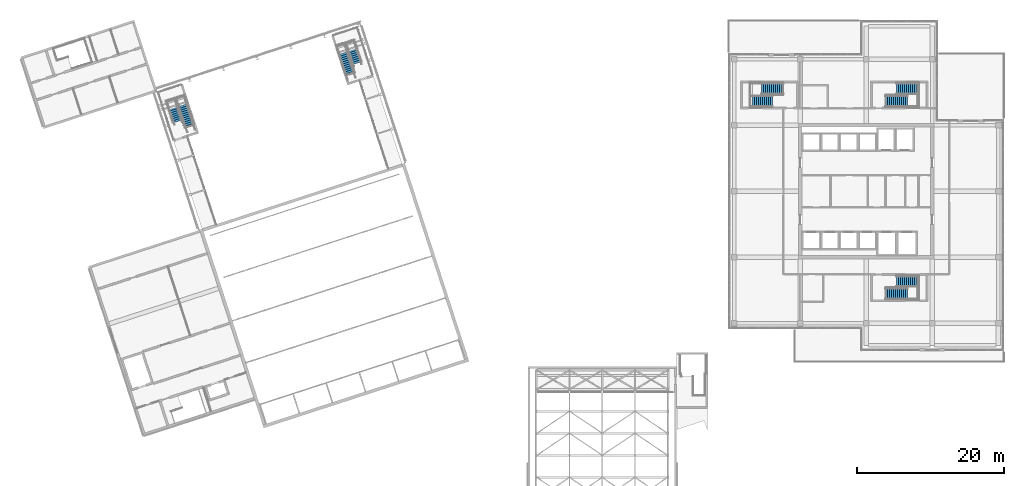
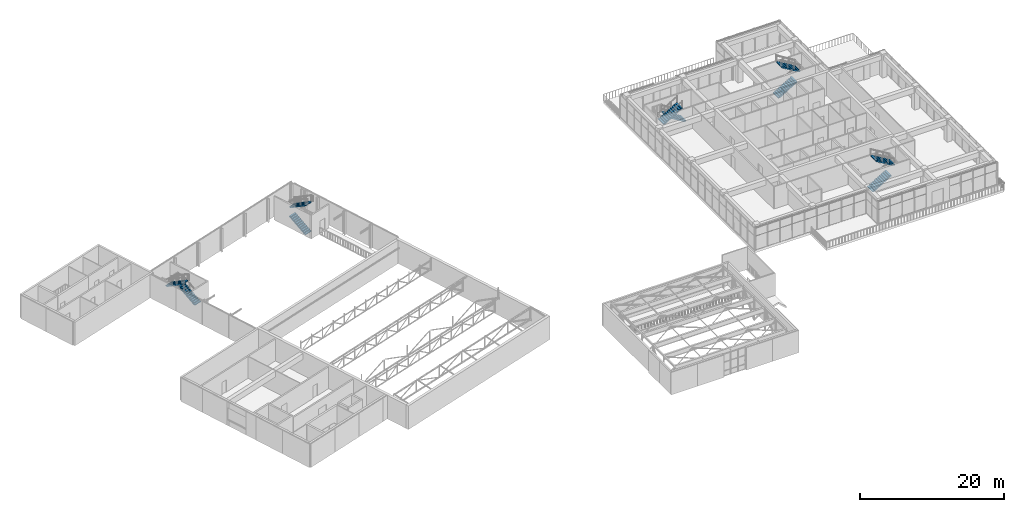
# One storey, part 76 of 81: 10 stair flights, 5 elements without a shape of their own.
"""IFC4 building model written with IfcOpenShell, lengths in metres."""

from ifc_helpers import new_model, si_unit, direction, frame, origin, place, context, subcontext, project, spatial, polyline, outline, extrude, material, type_object, element, aggregate, save


model = new_model("IFC4")

# Units and contexts
model_context = context("Model", 3, precision=1e-05, world=origin(), true_north=direction((0.0, 1.0)))
body_context = subcontext(model_context, "Body", "Model", "MODEL_VIEW")
ifc_project = project(units=[si_unit("LENGTHUNIT", "METRE"), si_unit("AREAUNIT", "SQUARE_METRE"), si_unit("VOLUMEUNIT", "CUBIC_METRE"), si_unit("PLANEANGLEUNIT", "RADIAN"), si_unit("MASSUNIT", "GRAM", prefix="KILO")], contexts=[model_context])

# Site, building, storey
site_placement = place(None, origin())
site = spatial("IfcSite", under=ifc_project, at=site_placement, CompositionType="ELEMENT")
building_placement = place(site_placement, origin())
building = spatial("IfcBuilding", under=site, at=building_placement, Name="Tuart Plaza Theatre", CompositionType="ELEMENT")
storey_placement = place(building_placement, frame((0.0, 0.0, 17.5)))
storey = spatial("IfcBuildingStorey", under=building, at=storey_placement, Name="L04", CompositionType="ELEMENT", Elevation=17.5)

# Stair, stair flights
ifc_material_1 = material(Name="Concrete N40 (40 MPa)", Category="concrete")
stair_type_1 = type_object("IfcStairType", Name="STAIR half turn 1500", PredefinedType="HALF_TURN_STAIR", material=ifc_material_1)
stair_1_placement = place(storey_placement, origin())
stair_1 = element("IfcStair", 1, at=stair_1_placement, inside=storey, type_object=stair_type_1, Name="SC-3", PredefinedType="HALF_TURN_STAIR")
ifc_material_2 = material(Name="Concrete N40 (40 MPa)", Category="concrete")
stair_flight_type_1 = type_object("IfcStairFlightType", Name="STAIR FLIGHT 166.7 275 1500", PredefinedType="STRAIGHT", material=ifc_material_2)
stair_flight_1_placement = place(storey_placement, frame((134.594970703125, 60.050048828125, 0.0), z_axis=(0.0, 0.0, 1.0), x_axis=(1.0, 0.0, 0.0)))
stair_flight_1 = element("IfcStairFlight", 2, at=stair_flight_1_placement, type_object=stair_flight_type_1, Name="SC-3 flight 1", NumberOfRisers=12, NumberOfTreads=11, PredefinedType="STRAIGHT", RiserHeight=0.166666667, TreadLength=0.275, context=body_context, shape_type="SweptSolid", body=[
    extrude(outline(polyline([(0.0, 0.0), (0.0, 0.166748046875), (0.27490234375, 0.166748046875), (0.27490234375, 0.333251953125), (0.550048828125, 0.333251953125), (0.550048828125, 0.5), (0.824951171875, 0.5), (0.824951171875, 0.666748046875), (1.10009765625, 0.666748046875), (1.10009765625, 0.833251953125), (1.375, 0.833251953125), (1.375, 1.0), (1.64990234375, 1.0), (1.64990234375, 1.166748046875), (1.925048828125, 1.166748046875), (1.925048828125, 1.333251953125), (2.199951171875, 1.333251953125), (2.199951171875, 1.5), (2.47509765625, 1.5), (2.47509765625, 1.666748046875), (2.75, 1.666748046875), (2.75, 1.833251953125), (3.02490234375, 1.833251953125), (3.02490234375, 2.0), (3.02490234375, 1.657958984375), (0.289306640625, 0.0), (0.0, 0.0)])), frame((0.0, 0.75, 0.0), z_axis=(0.0, -1.0, 0.0), x_axis=(1.0, 0.0, 0.0)), (0.0, 0.0, 1.0), 1.5),
])
stair_flight_2_placement = place(storey_placement, frame((139.1201171875, 61.699951171875, 2.0), z_axis=(0.0, 0.0, 1.0), x_axis=(-1.0, 0.0, 0.0)))
stair_flight_2 = element("IfcStairFlight", 3, at=stair_flight_2_placement, type_object=stair_flight_type_1, Name="SC-3 flight 2", NumberOfRisers=12, NumberOfTreads=11, PredefinedType="STRAIGHT", RiserHeight=0.166666667, TreadLength=0.275, context=body_context, shape_type="SweptSolid", body=[
    extrude(outline(polyline([(0.0, 0.0), (0.0, 0.166748046875), (0.27490234375, 0.166748046875), (0.27490234375, 0.333251953125), (0.550048828125, 0.333251953125), (0.550048828125, 0.5), (0.824951171875, 0.5), (0.824951171875, 0.666748046875), (1.10009765625, 0.666748046875), (1.10009765625, 0.833251953125), (1.375, 0.833251953125), (1.375, 1.0), (1.64990234375, 1.0), (1.64990234375, 1.166748046875), (1.925048828125, 1.166748046875), (1.925048828125, 1.333251953125), (2.199951171875, 1.333251953125), (2.199951171875, 1.5), (2.47509765625, 1.5), (2.47509765625, 1.666748046875), (2.75, 1.666748046875), (2.75, 1.833251953125), (3.02490234375, 1.833251953125), (3.02490234375, 2.0), (3.02490234375, 1.657958984375), (0.289306640625, 0.0), (0.0, 0.0)])), frame((0.0, 0.75, 0.0), z_axis=(0.0, -1.0, 0.0), x_axis=(1.0, 0.0, 0.0)), (0.0, 0.0, 1.0), 1.5),
])
aggregate(stair_1, [stair_flight_1, stair_flight_2])

stair_2_placement = place(storey_placement, origin())
stair_2 = element("IfcStair", 4, at=stair_2_placement, inside=storey, type_object=stair_type_1, Name="SC-9", PredefinedType="HALF_TURN_STAIR")
stair_flight_3_placement = place(storey_placement, frame((134.594970703125, 86.300048828125, 0.0), z_axis=(0.0, 0.0, 1.0), x_axis=(1.0, 0.0, 0.0)))
stair_flight_3 = element("IfcStairFlight", 5, at=stair_flight_3_placement, type_object=stair_flight_type_1, Name="SC-9 flight 1", NumberOfRisers=12, NumberOfTreads=11, PredefinedType="STRAIGHT", RiserHeight=0.166666667, TreadLength=0.275, context=body_context, shape_type="SweptSolid", body=[
    extrude(outline(polyline([(0.0, 0.0), (0.0, 0.166748046875), (0.27490234375, 0.166748046875), (0.27490234375, 0.333251953125), (0.550048828125, 0.333251953125), (0.550048828125, 0.5), (0.824951171875, 0.5), (0.824951171875, 0.666748046875), (1.10009765625, 0.666748046875), (1.10009765625, 0.833251953125), (1.375, 0.833251953125), (1.375, 1.0), (1.64990234375, 1.0), (1.64990234375, 1.166748046875), (1.925048828125, 1.166748046875), (1.925048828125, 1.333251953125), (2.199951171875, 1.333251953125), (2.199951171875, 1.5), (2.47509765625, 1.5), (2.47509765625, 1.666748046875), (2.75, 1.666748046875), (2.75, 1.833251953125), (3.02490234375, 1.833251953125), (3.02490234375, 2.0), (3.02490234375, 1.657958984375), (0.289306640625, 0.0), (0.0, 0.0)])), frame((0.0, 0.75, 0.0), z_axis=(0.0, -1.0, 0.0), x_axis=(1.0, 0.0, 0.0)), (0.0, 0.0, 1.0), 1.5),
])
stair_flight_4_placement = place(storey_placement, frame((139.1201171875, 87.949951171875, 2.0), z_axis=(0.0, 0.0, 1.0), x_axis=(-1.0, 0.0, 0.0)))
stair_flight_4 = element("IfcStairFlight", 6, at=stair_flight_4_placement, type_object=stair_flight_type_1, Name="SC-9 flight 2", NumberOfRisers=12, NumberOfTreads=11, PredefinedType="STRAIGHT", RiserHeight=0.166666667, TreadLength=0.275, context=body_context, shape_type="SweptSolid", body=[
    extrude(outline(polyline([(0.0, 0.0), (0.0, 0.166748046875), (0.27490234375, 0.166748046875), (0.27490234375, 0.333251953125), (0.550048828125, 0.333251953125), (0.550048828125, 0.5), (0.824951171875, 0.5), (0.824951171875, 0.666748046875), (1.10009765625, 0.666748046875), (1.10009765625, 0.833251953125), (1.375, 0.833251953125), (1.375, 1.0), (1.64990234375, 1.0), (1.64990234375, 1.166748046875), (1.925048828125, 1.166748046875), (1.925048828125, 1.333251953125), (2.199951171875, 1.333251953125), (2.199951171875, 1.5), (2.47509765625, 1.5), (2.47509765625, 1.666748046875), (2.75, 1.666748046875), (2.75, 1.833251953125), (3.02490234375, 1.833251953125), (3.02490234375, 2.0), (3.02490234375, 1.657958984375), (0.289306640625, 0.0), (0.0, 0.0)])), frame((0.0, 0.75, 0.0), z_axis=(0.0, -1.0, 0.0), x_axis=(1.0, 0.0, 0.0)), (0.0, 0.0, 1.0), 1.5),
])
aggregate(stair_2, [stair_flight_3, stair_flight_4])

stair_3_placement = place(storey_placement, origin())
stair_3 = element("IfcStair", 7, at=stair_3_placement, inside=storey, type_object=stair_type_1, Name="SC-15", PredefinedType="HALF_TURN_STAIR")
stair_flight_5_placement = place(storey_placement, frame((120.705078125, 87.949951171875, 0.0), z_axis=(0.0, 0.0, 1.0), x_axis=(-1.0, 0.0, 0.0)))
stair_flight_5 = element("IfcStairFlight", 8, at=stair_flight_5_placement, type_object=stair_flight_type_1, Name="SC-15 flight 1", NumberOfRisers=12, NumberOfTreads=11, PredefinedType="STRAIGHT", RiserHeight=0.166666667, TreadLength=0.275, context=body_context, shape_type="SweptSolid", body=[
    extrude(outline(polyline([(0.0, 0.0), (0.0, 0.166748046875), (0.27490234375, 0.166748046875), (0.27490234375, 0.333251953125), (0.550048828125, 0.333251953125), (0.550048828125, 0.5), (0.824951171875, 0.5), (0.824951171875, 0.666748046875), (1.10009765625, 0.666748046875), (1.10009765625, 0.833251953125), (1.375, 0.833251953125), (1.375, 1.0), (1.64990234375, 1.0), (1.64990234375, 1.166748046875), (1.925048828125, 1.166748046875), (1.925048828125, 1.333251953125), (2.199951171875, 1.333251953125), (2.199951171875, 1.5), (2.47509765625, 1.5), (2.47509765625, 1.666748046875), (2.75, 1.666748046875), (2.75, 1.833251953125), (3.02490234375, 1.833251953125), (3.02490234375, 2.0), (3.02490234375, 1.657958984375), (0.289306640625, 0.0), (0.0, 0.0)])), frame((0.0, 0.75, 0.0), z_axis=(0.0, -1.0, 0.0), x_axis=(1.0, 0.0, 0.0)), (0.0, 0.0, 1.0), 1.5),
])
stair_flight_6_placement = place(storey_placement, frame((116.179931640625, 86.300048828125, 2.0), z_axis=(0.0, 0.0, 1.0), x_axis=(1.0, 0.0, 0.0)))
stair_flight_6 = element("IfcStairFlight", 9, at=stair_flight_6_placement, type_object=stair_flight_type_1, Name="SC-15 flight 2", NumberOfRisers=12, NumberOfTreads=11, PredefinedType="STRAIGHT", RiserHeight=0.166666667, TreadLength=0.275, context=body_context, shape_type="SweptSolid", body=[
    extrude(outline(polyline([(0.0, 0.0), (0.0, 0.166748046875), (0.27490234375, 0.166748046875), (0.27490234375, 0.333251953125), (0.550048828125, 0.333251953125), (0.550048828125, 0.5), (0.824951171875, 0.5), (0.824951171875, 0.666748046875), (1.10009765625, 0.666748046875), (1.10009765625, 0.833251953125), (1.375, 0.833251953125), (1.375, 1.0), (1.64990234375, 1.0), (1.64990234375, 1.166748046875), (1.925048828125, 1.166748046875), (1.925048828125, 1.333251953125), (2.199951171875, 1.333251953125), (2.199951171875, 1.5), (2.47509765625, 1.5), (2.47509765625, 1.666748046875), (2.75, 1.666748046875), (2.75, 1.833251953125), (3.02490234375, 1.833251953125), (3.02490234375, 2.0), (3.02490234375, 1.657958984375), (0.289306640625, 0.0), (0.0, 0.0)])), frame((0.0, 0.75, 0.0), z_axis=(0.0, -1.0, 0.0), x_axis=(1.0, 0.0, 0.0)), (0.0, 0.0, 1.0), 1.5),
])
aggregate(stair_3, [stair_flight_5, stair_flight_6])

ifc_material_3 = material(Name="Concrete N40 (40 MPa)", Category="concrete")
stair_type_2 = type_object("IfcStairType", Name="STAIR half turn 1200", PredefinedType="HALF_TURN_STAIR", material=ifc_material_3)
stair_4_placement = place(storey_placement, origin())
stair_4 = element("IfcStair", 10, at=stair_4_placement, inside=storey, type_object=stair_type_2, Name="SA-4", PredefinedType="HALF_TURN_STAIR")
ifc_material_4 = material(Name="Concrete N40 (40 MPa)", Category="concrete")
stair_flight_type_2 = type_object("IfcStairFlightType", Name="STAIR FLIGHT 166.7 280 1200", PredefinedType="STRAIGHT", material=ifc_material_4)
stair_flight_7_placement = place(storey_placement, frame((39.7744140625, 82.807373046875, 0.0), z_axis=(0.0, 0.0, 1.0), x_axis=(-0.309016994375, 0.951056516295, 0.0)))
stair_flight_7 = element("IfcStairFlight", 11, at=stair_flight_7_placement, type_object=stair_flight_type_2, Name="SA-4 flight 1", NumberOfRisers=12, NumberOfTreads=11, PredefinedType="STRAIGHT", RiserHeight=0.166666667, TreadLength=0.28, context=body_context, shape_type="SweptSolid", body=[
    extrude(outline(polyline([(0.0, 0.0), (0.0, 0.166748046875), (0.280029296875, 0.166748046875), (0.280029296875, 0.333251953125), (0.56005859375, 0.333251953125), (0.56005859375, 0.5), (0.840087890625, 0.5), (0.840087890625, 0.666748046875), (1.1201171875, 0.666748046875), (1.1201171875, 0.833251953125), (1.39990234375, 0.833251953125), (1.39990234375, 1.0), (1.679931640625, 1.0), (1.679931640625, 1.166748046875), (1.9599609375, 1.166748046875), (1.9599609375, 1.333251953125), (2.239990234375, 1.333251953125), (2.239990234375, 1.5), (2.52001953125, 1.5), (2.52001953125, 1.666748046875), (2.800048828125, 1.666748046875), (2.800048828125, 1.833251953125), (3.080078125, 1.833251953125), (3.080078125, 2.0), (3.080078125, 1.658935546875), (0.29296875, 0.0), (0.0, 0.0)])), frame((0.0, 0.60009765625, 0.0), z_axis=(0.0, -1.0, 0.0), x_axis=(1.0, 0.0, 0.0)), (0.0, 0.0, 1.0), 1.199951171875),
])
stair_flight_8_placement = place(storey_placement, frame((37.167724609375, 86.460693359375, 2.0), z_axis=(0.0, 0.0, 1.0), x_axis=(0.309016994375, -0.951056516295, 0.0)))
stair_flight_8 = element("IfcStairFlight", 12, at=stair_flight_8_placement, type_object=stair_flight_type_2, Name="SA-4 flight 2", NumberOfRisers=12, NumberOfTreads=11, PredefinedType="STRAIGHT", RiserHeight=0.166666667, TreadLength=0.28, context=body_context, shape_type="SweptSolid", body=[
    extrude(outline(polyline([(0.0, 0.0), (0.0, 0.166748046875), (0.280029296875, 0.166748046875), (0.280029296875, 0.333251953125), (0.56005859375, 0.333251953125), (0.56005859375, 0.5), (0.840087890625, 0.5), (0.840087890625, 0.666748046875), (1.1201171875, 0.666748046875), (1.1201171875, 0.833251953125), (1.39990234375, 0.833251953125), (1.39990234375, 1.0), (1.679931640625, 1.0), (1.679931640625, 1.166748046875), (1.9599609375, 1.166748046875), (1.9599609375, 1.333251953125), (2.239990234375, 1.333251953125), (2.239990234375, 1.5), (2.52001953125, 1.5), (2.52001953125, 1.666748046875), (2.800048828125, 1.666748046875), (2.800048828125, 1.833251953125), (3.080078125, 1.833251953125), (3.080078125, 2.0), (3.080078125, 1.658935546875), (0.29296875, 0.0), (0.0, 0.0)])), frame((0.0, 0.60009765625, 0.0), z_axis=(0.0, -1.0, 0.0), x_axis=(1.0, 0.0, 0.0)), (0.0, 0.0, 1.0), 1.199951171875),
])
aggregate(stair_4, [stair_flight_7, stair_flight_8])

stair_5_placement = place(storey_placement, origin())
stair_5 = element("IfcStair", 13, at=stair_5_placement, inside=storey, type_object=stair_type_2, Name="SA-5", PredefinedType="HALF_TURN_STAIR")
stair_flight_9_placement = place(storey_placement, frame((61.6533203125, 89.916259765625, 0.0), z_axis=(0.0, 0.0, 1.0), x_axis=(-0.309016994375, 0.951056516295, 0.0)))
stair_flight_9 = element("IfcStairFlight", 14, at=stair_flight_9_placement, type_object=stair_flight_type_2, Name="SA-5 flight 1", NumberOfRisers=12, NumberOfTreads=11, PredefinedType="STRAIGHT", RiserHeight=0.166666667, TreadLength=0.28, context=body_context, shape_type="SweptSolid", body=[
    extrude(outline(polyline([(0.0, 0.0), (0.0, 0.166748046875), (0.280029296875, 0.166748046875), (0.280029296875, 0.333251953125), (0.56005859375, 0.333251953125), (0.56005859375, 0.5), (0.840087890625, 0.5), (0.840087890625, 0.666748046875), (1.1201171875, 0.666748046875), (1.1201171875, 0.833251953125), (1.39990234375, 0.833251953125), (1.39990234375, 1.0), (1.679931640625, 1.0), (1.679931640625, 1.166748046875), (1.9599609375, 1.166748046875), (1.9599609375, 1.333251953125), (2.239990234375, 1.333251953125), (2.239990234375, 1.5), (2.52001953125, 1.5), (2.52001953125, 1.666748046875), (2.800048828125, 1.666748046875), (2.800048828125, 1.833251953125), (3.080078125, 1.833251953125), (3.080078125, 2.0), (3.080078125, 1.658935546875), (0.29296875, 0.0), (0.0, 0.0)])), frame((0.0, 0.60009765625, 0.0), z_axis=(0.0, -1.0, 0.0), x_axis=(1.0, 0.0, 0.0)), (0.0, 0.0, 1.0), 1.199951171875),
])
stair_flight_10_placement = place(storey_placement, frame((61.61474609375, 94.404052734375, 2.0), z_axis=(0.0, 0.0, 1.0), x_axis=(0.309016994375, -0.951056516295, 0.0)))
stair_flight_10 = element("IfcStairFlight", 15, at=stair_flight_10_placement, type_object=stair_flight_type_2, Name="SA-5 flight 2", NumberOfRisers=12, NumberOfTreads=11, PredefinedType="STRAIGHT", RiserHeight=0.166666667, TreadLength=0.28, context=body_context, shape_type="SweptSolid", body=[
    extrude(outline(polyline([(0.0, 0.0), (0.0, 0.166748046875), (0.280029296875, 0.166748046875), (0.280029296875, 0.333251953125), (0.56005859375, 0.333251953125), (0.56005859375, 0.5), (0.840087890625, 0.5), (0.840087890625, 0.666748046875), (1.1201171875, 0.666748046875), (1.1201171875, 0.833251953125), (1.39990234375, 0.833251953125), (1.39990234375, 1.0), (1.679931640625, 1.0), (1.679931640625, 1.166748046875), (1.9599609375, 1.166748046875), (1.9599609375, 1.333251953125), (2.239990234375, 1.333251953125), (2.239990234375, 1.5), (2.52001953125, 1.5), (2.52001953125, 1.666748046875), (2.800048828125, 1.666748046875), (2.800048828125, 1.833251953125), (3.080078125, 1.833251953125), (3.080078125, 2.0), (3.080078125, 1.658935546875), (0.29296875, 0.0), (0.0, 0.0)])), frame((0.0, 0.60009765625, 0.0), z_axis=(0.0, -1.0, 0.0), x_axis=(1.0, 0.0, 0.0)), (0.0, 0.0, 1.0), 1.199951171875),
])
aggregate(stair_5, [stair_flight_9, stair_flight_10])

save(model, "model.ifc")
